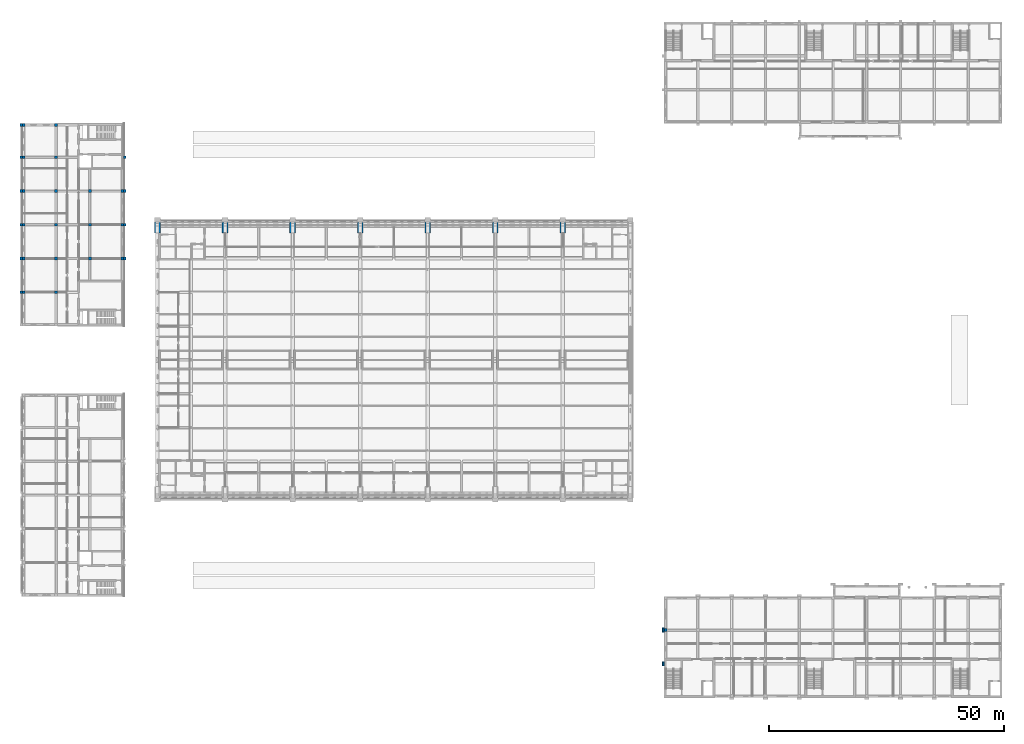
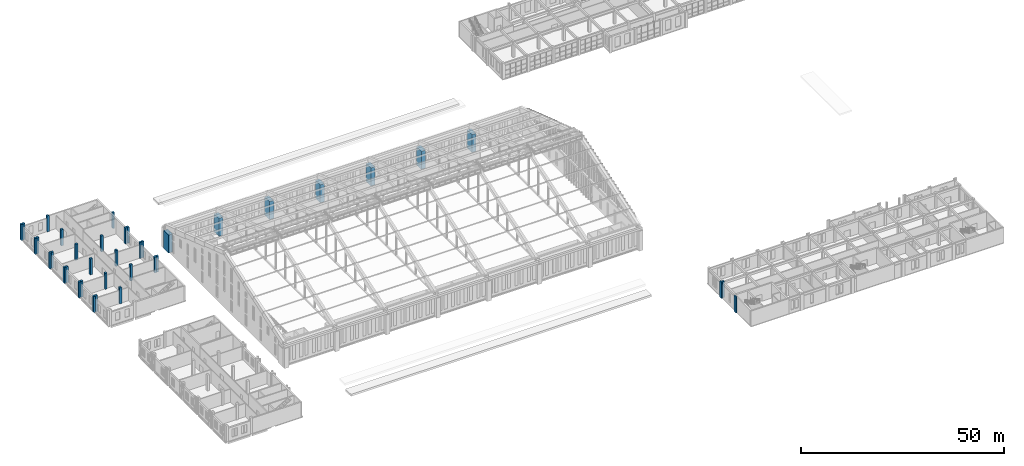
# One storey, part 2 of 149: 38 columns.
"""IFC4 building model written with IfcOpenShell, lengths in metres."""

from ifc_helpers import new_model, si_unit, direction, frame, origin, origin_2d, place, context, subcontext, project, spatial, rectangle, extrude, material, material_profile, profile_set, type_object, element, save


model = new_model("IFC4")

# Units and contexts
model_context = context("Model", 3, precision=1e-05, world=origin(), true_north=direction((0.0, 1.0)))
body_context = subcontext(model_context, "Body", "Model", "MODEL_VIEW")
ifc_project = project(units=[si_unit("LENGTHUNIT", "METRE"), si_unit("AREAUNIT", "SQUARE_METRE"), si_unit("VOLUMEUNIT", "CUBIC_METRE"), si_unit("PLANEANGLEUNIT", "RADIAN"), si_unit("MASSUNIT", "GRAM", prefix="KILO")], contexts=[model_context])

# Site, building, storey
site_placement = place(None, origin())
site = spatial("IfcSite", under=ifc_project, at=site_placement, CompositionType="ELEMENT")
building_placement = place(site_placement, origin())
building = spatial("IfcBuilding", under=site, at=building_placement, Name="Alderwick Market Hall", CompositionType="ELEMENT")
storey_placement = place(building_placement, frame((0.0, 0.0, 9.60009765625)))
storey = spatial("IfcBuildingStorey", under=building, at=storey_placement, Name="L01", CompositionType="ELEMENT", Elevation=9.60009765625)

# Columns
ifc_material_1 = material(Name="Concrete 5000 psi (f'c 35 MPa)", Category="concrete")
ifc_material_profile_1 = material_profile(ifc_material_1, rectangle(XDim=0.5, YDim=0.60009765625, at=origin_2d()), Name="B Pilaster 500x600")
ifc_profile_set_1 = profile_set([ifc_material_profile_1], Name="Concrete 5000 psi (f'c 35 MPa)")
column_type_1 = type_object("IfcColumnType", Name="B Pilaster 500x600", PredefinedType="COLUMN", material=ifc_profile_set_1)
for number, where, z_axis, x_axis, name in (
    (1, (21.35009765625, 93.60009765625, 0.0), (0.0, 0.0, 1.0), (1.0, 0.0, 0.0), "Pilaster W02"),
    (2, (21.35009765625, 100.800048828125, 0.0), (0.0, 0.0, 1.0), (1.0, 0.0, 0.0), "Pilaster W03"),
    (3, (21.35009765625, 108.0, 0.0), (0.0, 0.0, 1.0), (1.0, 0.0, 0.0), "Pilaster W04"),
    (4, (21.35009765625, 115.199951171875, 0.0), (0.0, 0.0, 1.0), (1.0, 0.0, 0.0), "Pilaster W05"),
    (5, (21.35009765625, 122.39990234375, 0.0), (0.0, 0.0, 1.0), (1.0, 0.0, 0.0), "Pilaster W06"),
    (6, (21.35009765625, 129.300048828125, 0.0), (0.0, 0.0, 1.0), (1.0, 0.0, 0.0), "Pilaster W07"),
    (7, (43.449951171875, 100.800048828125, 0.0), (0.0, 0.0, 1.0), (1.0, 0.0, 0.0), "Pilaster E01"),
    (8, (43.449951171875, 108.0, 0.0), (0.0, 0.0, 1.0), (1.0, 0.0, 0.0), "Pilaster E02"),
    (9, (43.449951171875, 115.199951171875, 0.0), (0.0, 0.0, 1.0), (1.0, 0.0, 0.0), "Pilaster E03"),
    (10, (43.449951171875, 122.39990234375, 0.0), (0.0, 0.0, 1.0), (1.0, 0.0, 0.0), "Pilaster E04"),
):
    element("IfcColumn", number, at=place(storey_placement, frame(where, z_axis=z_axis, x_axis=x_axis)), inside=storey, type_object=column_type_1, Name=name, PredefinedType="COLUMN", context=body_context, shape_type="SweptSolid", body=[
        extrude(rectangle(XDim=0.5, YDim=0.60009765625, at=origin_2d()), origin(), (0.0, 0.0, 1.0), 4.7998046875),
    ])
ifc_material_2 = material(Name="Precast concrete 6000 psi (f'c 42 MPa)", Category="concrete")
ifc_material_profile_2 = material_profile(ifc_material_2, rectangle(XDim=0.60009765625, YDim=0.60009765625, at=origin_2d()), Name="B Precast Pier 600x600")
ifc_profile_set_2 = profile_set([ifc_material_profile_2], Name="Precast concrete 6000 psi (f'c 42 MPa)")
column_type_2 = type_object("IfcColumnType", Name="B Precast Pier 600x600", PredefinedType="COLUMN", material=ifc_profile_set_2)
for number, where, z_axis, x_axis, name in (
    (11, (21.89990234375, 129.300048828125, 0.0), (0.0, 0.0, 1.0), (1.0, 0.0, 0.0), "B.N.col.L01.003-003"),
    (12, (21.89990234375, 122.39990234375, 0.0), (0.0, 0.0, 1.0), (1.0, 0.0, 0.0), "B.N.col.L01.003-072"),
    (13, (21.89990234375, 115.199951171875, 0.0), (0.0, 0.0, 1.0), (1.0, 0.0, 0.0), "B.N.col.L01.003-144"),
    (14, (21.89990234375, 108.0, 0.0), (0.0, 0.0, 1.0), (1.0, 0.0, 0.0), "B.N.col.L01.003-216"),
    (15, (21.89990234375, 100.800048828125, 0.0), (0.0, 0.0, 1.0), (1.0, 0.0, 0.0), "B.N.col.L01.003-288"),
    (16, (21.89990234375, 93.60009765625, 0.0), (0.0, 0.0, 1.0), (1.0, 0.0, 0.0), "B.N.col.L01.003-360"),
    (17, (28.800048828125, 129.300048828125, 0.0), (0.0, 0.0, 1.0), (1.0, 0.0, 0.0), "B.N.col.L01.072-003"),
    (18, (42.89990234375, 115.199951171875, 0.0), (0.0, 0.0, 1.0), (1.0, 0.0, 0.0), "B.N.col.L01.213-144"),
    (19, (42.89990234375, 108.0, 0.0), (0.0, 0.0, 1.0), (1.0, 0.0, 0.0), "B.N.col.L01.213-216"),
    (20, (42.89990234375, 100.800048828125, 0.0), (0.0, 0.0, 1.0), (1.0, 0.0, 0.0), "B.N.col.L01.213-288"),
):
    element("IfcColumn", number, at=place(storey_placement, frame(where, z_axis=z_axis, x_axis=x_axis)), inside=storey, type_object=column_type_2, Name=name, PredefinedType="COLUMN", context=body_context, shape_type="SweptSolid", body=[
        extrude(rectangle(XDim=0.60009765625, YDim=0.60009765625, at=origin_2d()), origin(), (0.0, 0.0, 1.0), 4.7998046875),
    ])
ifc_material_profile_3 = material_profile(ifc_material_1, rectangle(XDim=0.60009765625, YDim=0.60009765625, at=origin_2d()), Name="B RC Column 600x600")
ifc_profile_set_3 = profile_set([ifc_material_profile_3], Name="Concrete 5000 psi (f'c 35 MPa)")
column_type_3 = type_object("IfcColumnType", Name="B RC Column 600x600", PredefinedType="COLUMN", material=ifc_profile_set_3)
for number, where, z_axis, x_axis, name in (
    (21, (28.800048828125, 122.39990234375, 0.0), (0.0, 0.0, 1.0), (1.0, 0.0, 0.0), "B.N.col.L01.072-072"),
    (22, (28.800048828125, 115.199951171875, 0.0), (0.0, 0.0, 1.0), (1.0, 0.0, 0.0), "B.N.col.L01.072-144"),
    (23, (28.800048828125, 108.0, 0.0), (0.0, 0.0, 1.0), (1.0, 0.0, 0.0), "B.N.col.L01.072-216"),
    (24, (28.800048828125, 100.800048828125, 0.0), (0.0, 0.0, 1.0), (1.0, 0.0, 0.0), "B.N.col.L01.072-288"),
    (25, (28.800048828125, 93.60009765625, 0.0), (0.0, 0.0, 1.0), (1.0, 0.0, 0.0), "B.N.col.L01.072-360"),
    (26, (36.0, 115.199951171875, 0.0), (0.0, 0.0, 1.0), (1.0, 0.0, 0.0), "B.N.col.L01.144-144"),
    (27, (36.0, 108.0, 0.0), (0.0, 0.0, 1.0), (1.0, 0.0, 0.0), "B.N.col.L01.144-216"),
    (28, (36.0, 100.800048828125, 0.0), (0.0, 0.0, 1.0), (1.0, 0.0, 0.0), "B.N.col.L01.144-288"),
):
    element("IfcColumn", number, at=place(storey_placement, frame(where, z_axis=z_axis, x_axis=x_axis)), inside=storey, type_object=column_type_3, Name=name, PredefinedType="COLUMN", context=body_context, shape_type="SweptSolid", body=[
        extrude(rectangle(XDim=0.60009765625, YDim=0.60009765625, at=origin_2d()), origin(), (0.0, 0.0, 1.0), 4.7998046875),
    ])
ifc_material_profile_4 = material_profile(ifc_material_1, rectangle(XDim=0.60009765625, YDim=0.60009765625, at=origin_2d()), Name="RC 600x600")
ifc_profile_set_4 = profile_set([ifc_material_profile_4], Name="Concrete 5000 psi (f'c 35 MPa)")
column_type_4 = type_object("IfcColumnType", Name="C Column RC 600x600", PredefinedType="COLUMN", material=ifc_profile_set_4)
column_placement = place(storey_placement, frame((158.75, 21.60009765625, 0.0), z_axis=(0.0, 0.0, 1.0), x_axis=(1.0, 0.0, 0.0)))
element("IfcColumn", 29, at=column_placement, inside=storey, type_object=column_type_4, Name="C.col.L01.12", PredefinedType="COLUMN", context=body_context, shape_type="SweptSolid", body=[
    extrude(rectangle(XDim=0.60009765625, YDim=0.60009765625, at=origin_2d()), origin(), (0.0, 0.0, 1.0), 4.7998046875),
])
ifc_material_profile_5 = material_profile(ifc_material_1, rectangle(XDim=0.89990234375, YDim=0.35009765625, at=origin_2d()), Name="PC 900x350")
ifc_profile_set_5 = profile_set([ifc_material_profile_5], Name="Concrete 5000 psi (f'c 35 MPa)")
column_type_5 = type_object("IfcColumnType", Name="C Pilaster Precast Concrete 900x350", PredefinedType="PILASTER", material=ifc_profile_set_5)
for number, where, z_axis, x_axis, name in (
    (30, (158.22509765625, 21.60009765625, 0.0), (0.0, 0.0, 1.0), (0.0, 1.0, 0.0), "C.pilaster.L01.036"),
    (31, (158.22509765625, 14.39990234375, 0.0), (0.0, 0.0, 1.0), (0.0, 1.0, 0.0), "C.pilaster.L01.039"),
):
    element("IfcColumn", number, at=place(storey_placement, frame(where, z_axis=z_axis, x_axis=x_axis)), inside=storey, type_object=column_type_5, Name=name, PredefinedType="PILASTER", context=body_context, shape_type="SweptSolid", body=[
        extrude(rectangle(XDim=0.89990234375, YDim=0.35009765625, at=origin_2d()), origin(), (0.0, 0.0, 1.0), 4.7998046875),
    ])
ifc_material_profile_6 = material_profile(ifc_material_1, rectangle(XDim=1.199951171875, YDim=2.39990234375, at=origin_2d()), Name="RC 1200x2400")
ifc_profile_set_6 = profile_set([ifc_material_profile_6], Name="Concrete 5000 psi (f'c 35 MPa)")
column_type_6 = type_object("IfcColumnType", Name="R Buttress Pier 1200x2400", PredefinedType="COLUMN", material=ifc_profile_set_6)
for number, where, z_axis, x_axis, name in (
    (32, (50.39990234375, 107.39990234375, 0.0), (0.0, 0.0, 1.0), (1.0, 0.0, 0.0), "Buttress pier N1 L01"),
    (33, (64.800048828125, 107.39990234375, 0.0), (0.0, 0.0, 1.0), (1.0, 0.0, 0.0), "Buttress pier N2 L01"),
    (34, (79.199951171875, 107.39990234375, 0.0), (0.0, 0.0, 1.0), (1.0, 0.0, 0.0), "Buttress pier N3 L01"),
    (35, (93.60009765625, 107.39990234375, 0.0), (0.0, 0.0, 1.0), (1.0, 0.0, 0.0), "Buttress pier N4 L01"),
    (36, (108.0, 107.39990234375, 0.0), (0.0, 0.0, 1.0), (1.0, 0.0, 0.0), "Buttress pier N5 L01"),
    (37, (122.39990234375, 107.39990234375, 0.0), (0.0, 0.0, 1.0), (1.0, 0.0, 0.0), "Buttress pier N6 L01"),
    (38, (136.800048828125, 107.39990234375, 0.0), (0.0, 0.0, 1.0), (1.0, 0.0, 0.0), "Buttress pier N7 L01"),
):
    element("IfcColumn", number, at=place(storey_placement, frame(where, z_axis=z_axis, x_axis=x_axis)), inside=storey, type_object=column_type_6, Name=name, PredefinedType="COLUMN", context=body_context, shape_type="SweptSolid", body=[
        extrude(rectangle(XDim=1.199951171875, YDim=2.39990234375, at=origin_2d()), origin(), (0.0, 0.0, 1.0), 5.39990234375),
    ])

save(model, "model.ifc")
